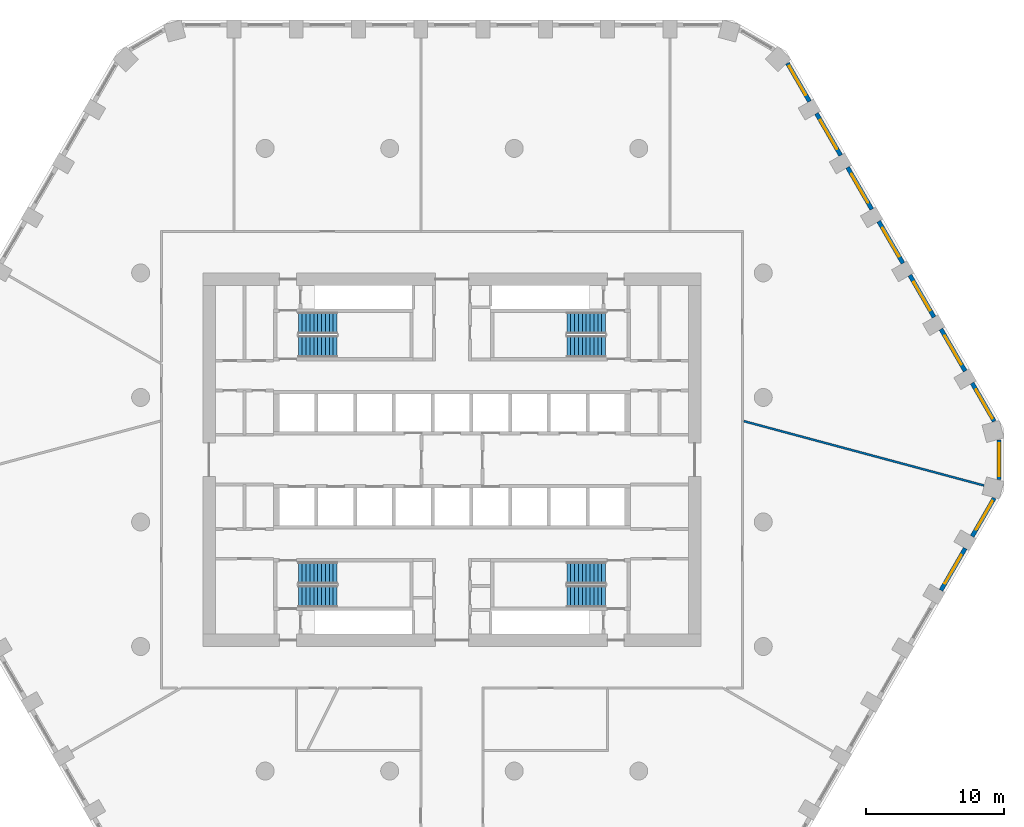
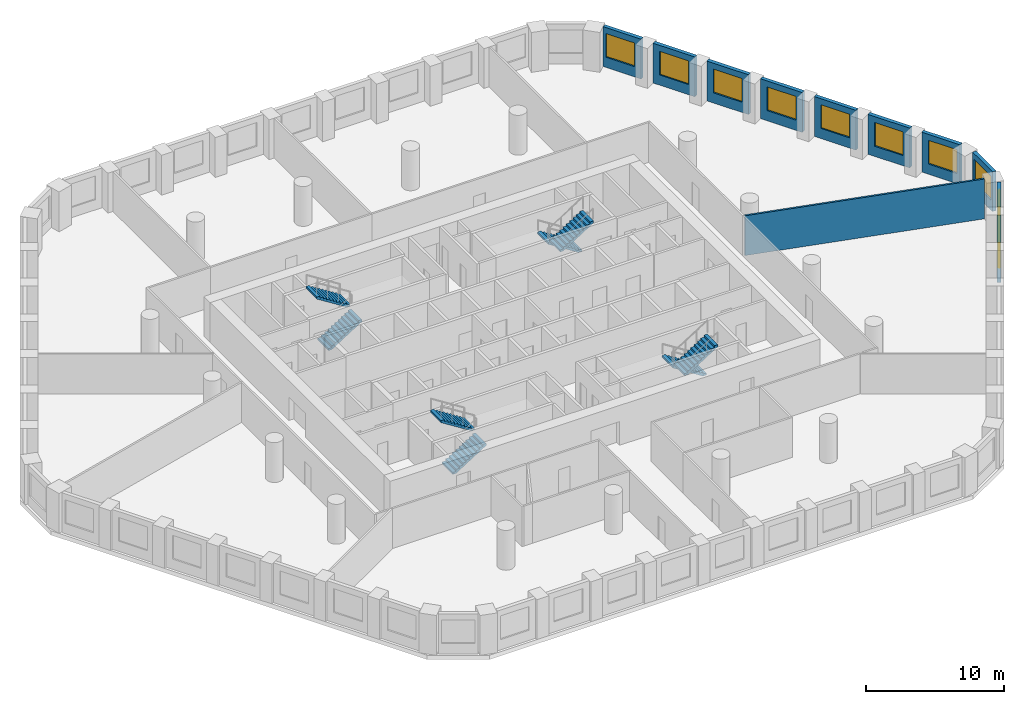
# One storey, part 8 of 9: 11 walls, 10 windows, 8 stair flights, 10 openings, 4 elements without a shape of their own.
"""IFC4 building model written with IfcOpenShell, lengths in metres."""

from ifc_helpers import new_model, si_unit, direction, frame, frame_2d, origin, place, context, subcontext, project, spatial, polyline, rectangle, outline, extrude, material, layer, layer_set, type_object, element, fill, aggregate, save


model = new_model("IFC4")

# Units and contexts
model_context = context("Model", 3, precision=1e-05, world=origin(), true_north=direction((0.0, 1.0)))
body_context = subcontext(model_context, "Body", "Model", "MODEL_VIEW")
ifc_project = project(units=[si_unit("LENGTHUNIT", "METRE"), si_unit("AREAUNIT", "SQUARE_METRE"), si_unit("VOLUMEUNIT", "CUBIC_METRE"), si_unit("PLANEANGLEUNIT", "RADIAN"), si_unit("MASSUNIT", "GRAM", prefix="KILO")], contexts=[model_context])

# Site, building, storey
site_placement = place(None, origin())
site = spatial("IfcSite", under=ifc_project, at=site_placement, CompositionType="ELEMENT")
building_placement = place(site_placement, origin())
building = spatial("IfcBuilding", under=site, at=building_placement, Name="Dhurran Vertical Campus", CompositionType="ELEMENT")
storey_placement = place(building_placement, frame((0.0, 0.0, 116.39990234375)))
storey = spatial("IfcBuildingStorey", under=building, at=storey_placement, Name="L28", CompositionType="ELEMENT", Elevation=116.39990234375)

# Wall, opening, window
ifc_material_1 = material(Name="Precast concrete C50/60", Category="concrete")
ifc_layer_1 = layer(ifc_material_1, 0.300048828125)
ifc_layer_set_1 = layer_set([ifc_layer_1], Name="Precast concrete C50/60")
wall_type_1 = type_object("IfcWallType", Name="Precast spandrel wall 300", PredefinedType="SOLIDWALL", material=ifc_layer_set_1)
wall_1_placement = place(storey_placement, frame((35.34423828125, -9.435791015625, 0.0), z_axis=(0.0, 0.0, 1.0), x_axis=(0.499996256241, 0.866027565234, 0.0)))
wall_1 = element("IfcWall", 1, at=wall_1_placement, inside=storey, type_object=wall_type_1, Name="EW1 L28.15", PredefinedType="SOLIDWALL", context=body_context, shape_type="SweptSolid", body=[
    extrude(rectangle(XDim=3.4990234375, YDim=0.300048828125, at=frame_2d((1.74951171875, 0.0))), origin(), (0.0, 0.0, 1.0), 3.525146484375),
])
opening_1_placement = place(wall_1_placement, frame((0.549560546875, 0.0, 0.89990234375)))
opening_1 = element("IfcOpeningElement", 2, at=opening_1_placement, cuts=wall_1, Name="Opening WT1", PredefinedType="OPENING", context=body_context, shape_type="SweptSolid", body=[
    extrude(rectangle(XDim=2.39990234375, YDim=2.10009765625, at=frame_2d((1.199951171875, 1.050048828125))), frame((0.0, 0.159912109375, 0.0), z_axis=(0.0, -1.0, 0.0), x_axis=(1.0, 0.0, 0.0)), (0.0, 0.0, 1.0), 0.320068359375),
])
ifc_material_2 = material(Name="Aluminium frame with solar-control glass", Category="aluminium")
window_type = type_object("IfcWindowType", Name="Punched window 2400 x 2100", PartitioningType="SINGLE_PANEL", PredefinedType="WINDOW", material=ifc_material_2)
window_1_placement = place(opening_1_placement, origin())
window_1 = element("IfcWindow", 3, at=window_1_placement, inside=storey, type_object=window_type, Name="WT1 L28.15", OverallHeight=2.10009765625, OverallWidth=2.39990234375, PartitioningType="SINGLE_PANEL", PredefinedType="WINDOW", context=body_context, shape_type="SweptSolid", body=[
    extrude(rectangle(XDim=2.39990234375, YDim=2.10009765625, at=frame_2d((1.199951171875, 1.050048828125))), frame((0.0, 0.030029296875, 0.0), z_axis=(0.0, -1.0, 0.0), x_axis=(1.0, 0.0, 0.0)), (0.0, 0.0, 1.0), 0.06005859375),
])
fill(opening_1, window_1)

wall_2_placement = place(storey_placement, frame((37.59423828125, -5.538818359375, 0.0), z_axis=(0.0, 0.0, 1.0), x_axis=(0.500004907028, 0.866022570692, 0.0)))
wall_2 = element("IfcWall", 4, at=wall_2_placement, inside=storey, type_object=wall_type_1, Name="EW1 L28.16", PredefinedType="SOLIDWALL", context=body_context, shape_type="SweptSolid", body=[
    extrude(rectangle(XDim=3.1923828125, YDim=0.300048828125, at=frame_2d((1.59619140625, 0.0))), origin(), (0.0, 0.0, 1.0), 3.525146484375),
])
opening_2_placement = place(wall_2_placement, frame((0.549560546875, 0.0, 0.89990234375)))
opening_2 = element("IfcOpeningElement", 5, at=opening_2_placement, cuts=wall_2, Name="Opening WT1", PredefinedType="OPENING", context=body_context, shape_type="SweptSolid", body=[
    extrude(rectangle(XDim=2.39990234375, YDim=2.10009765625, at=frame_2d((1.199951171875, 1.050048828125))), frame((0.0, 0.159912109375, 0.0), z_axis=(0.0, -1.0, 0.0), x_axis=(1.0, 0.0, 0.0)), (0.0, 0.0, 1.0), 0.320068359375),
])
window_2_placement = place(opening_2_placement, origin())
window_2 = element("IfcWindow", 6, at=window_2_placement, inside=storey, type_object=window_type, Name="WT1 L28.16", OverallHeight=2.10009765625, OverallWidth=2.39990234375, PartitioningType="SINGLE_PANEL", PredefinedType="WINDOW", context=body_context, shape_type="SweptSolid", body=[
    extrude(rectangle(XDim=2.39990234375, YDim=2.10009765625, at=frame_2d((1.199951171875, 1.050048828125))), frame((0.0, 0.030029296875, 0.0), z_axis=(0.0, -1.0, 0.0), x_axis=(1.0, 0.0, 0.0)), (0.0, 0.0, 1.0), 0.06005859375),
])
fill(opening_2, window_2)

wall_3_placement = place(storey_placement, frame((39.547119140625, -1.44287109375, 0.0), z_axis=(0.0, 0.0, 1.0), x_axis=(0.0, 1.0, 0.0)))
wall_3 = element("IfcWall", 7, at=wall_3_placement, inside=storey, type_object=wall_type_1, Name="EW1 L28.17", PredefinedType="SOLIDWALL", context=body_context, shape_type="SweptSolid", body=[
    extrude(rectangle(XDim=2.8857421875, YDim=0.300048828125, at=frame_2d((1.44287109375, 0.0))), origin(), (0.0, 0.0, 1.0), 3.525146484375),
])
opening_3_placement = place(wall_3_placement, frame((0.242919921875, 0.0, 0.89990234375)))
opening_3 = element("IfcOpeningElement", 8, at=opening_3_placement, cuts=wall_3, Name="Opening WT1", PredefinedType="OPENING", context=body_context, shape_type="SweptSolid", body=[
    extrude(rectangle(XDim=2.39990234375, YDim=2.10009765625, at=frame_2d((1.199951171875, 1.050048828125))), frame((0.0, 0.159912109375, 0.0), z_axis=(0.0, -1.0, 0.0), x_axis=(1.0, 0.0, 0.0)), (0.0, 0.0, 1.0), 0.320068359375),
])
window_3_placement = place(opening_3_placement, origin())
window_3 = element("IfcWindow", 9, at=window_3_placement, inside=storey, type_object=window_type, Name="WT1 L28.17", OverallHeight=2.10009765625, OverallWidth=2.39990234375, PartitioningType="SINGLE_PANEL", PredefinedType="WINDOW", context=body_context, shape_type="SweptSolid", body=[
    extrude(rectangle(XDim=2.39990234375, YDim=2.10009765625, at=frame_2d((1.199951171875, 1.050048828125))), frame((0.0, 0.030029296875, 0.0), z_axis=(0.0, -1.0, 0.0), x_axis=(1.0, 0.0, 0.0)), (0.0, 0.0, 1.0), 0.06005859375),
])
fill(opening_3, window_3)

wall_4_placement = place(storey_placement, frame((39.1904296875, 2.774169921875, 0.0), z_axis=(0.0, 0.0, 1.0), x_axis=(-0.500004907028, 0.866022570692, 0.0)))
wall_4 = element("IfcWall", 10, at=wall_4_placement, inside=storey, type_object=wall_type_1, Name="EW1 L28.18", PredefinedType="SOLIDWALL", context=body_context, shape_type="SweptSolid", body=[
    extrude(rectangle(XDim=3.1923828125, YDim=0.300048828125, at=frame_2d((1.59619140625, 0.0))), origin(), (0.0, 0.0, 1.0), 3.525146484375),
])
opening_4_placement = place(wall_4_placement, frame((0.242919921875, 0.0, 0.89990234375)))
opening_4 = element("IfcOpeningElement", 11, at=opening_4_placement, cuts=wall_4, Name="Opening WT1", PredefinedType="OPENING", context=body_context, shape_type="SweptSolid", body=[
    extrude(rectangle(XDim=2.39990234375, YDim=2.10009765625, at=frame_2d((1.199951171875, 1.050048828125))), frame((0.0, 0.159912109375, 0.0), z_axis=(0.0, -1.0, 0.0), x_axis=(1.0, 0.0, 0.0)), (0.0, 0.0, 1.0), 0.320068359375),
])
window_4_placement = place(opening_4_placement, origin())
window_4 = element("IfcWindow", 12, at=window_4_placement, inside=storey, type_object=window_type, Name="WT1 L28.18", OverallHeight=2.10009765625, OverallWidth=2.39990234375, PartitioningType="SINGLE_PANEL", PredefinedType="WINDOW", context=body_context, shape_type="SweptSolid", body=[
    extrude(rectangle(XDim=2.39990234375, YDim=2.10009765625, at=frame_2d((1.199951171875, 1.050048828125))), frame((0.0, 0.030029296875, 0.0), z_axis=(0.0, -1.0, 0.0), x_axis=(1.0, 0.0, 0.0)), (0.0, 0.0, 1.0), 0.06005859375),
])
fill(opening_4, window_4)

wall_5_placement = place(storey_placement, frame((37.09375, 6.405517578125, 0.0), z_axis=(0.0, 0.0, 1.0), x_axis=(-0.499996256241, 0.866027565234, 0.0)))
wall_5 = element("IfcWall", 13, at=wall_5_placement, inside=storey, type_object=wall_type_1, Name="EW1 L28.19", PredefinedType="SOLIDWALL", context=body_context, shape_type="SweptSolid", body=[
    extrude(rectangle(XDim=3.4990234375, YDim=0.300048828125, at=frame_2d((1.74951171875, 0.0))), origin(), (0.0, 0.0, 1.0), 3.525146484375),
])
opening_5_placement = place(wall_5_placement, frame((0.549560546875, 0.0, 0.89990234375)))
opening_5 = element("IfcOpeningElement", 14, at=opening_5_placement, cuts=wall_5, Name="Opening WT1", PredefinedType="OPENING", context=body_context, shape_type="SweptSolid", body=[
    extrude(rectangle(XDim=2.39990234375, YDim=2.10009765625, at=frame_2d((1.199951171875, 1.050048828125))), frame((0.0, 0.159912109375, 0.0), z_axis=(0.0, -1.0, 0.0), x_axis=(1.0, 0.0, 0.0)), (0.0, 0.0, 1.0), 0.320068359375),
])
window_5_placement = place(opening_5_placement, origin())
window_5 = element("IfcWindow", 15, at=window_5_placement, inside=storey, type_object=window_type, Name="WT1 L28.19", OverallHeight=2.10009765625, OverallWidth=2.39990234375, PartitioningType="SINGLE_PANEL", PredefinedType="WINDOW", context=body_context, shape_type="SweptSolid", body=[
    extrude(rectangle(XDim=2.39990234375, YDim=2.10009765625, at=frame_2d((1.199951171875, 1.050048828125))), frame((0.0, 0.030029296875, 0.0), z_axis=(0.0, -1.0, 0.0), x_axis=(1.0, 0.0, 0.0)), (0.0, 0.0, 1.0), 0.06005859375),
])
fill(opening_5, window_5)

wall_6_placement = place(storey_placement, frame((34.84375, 10.302734375, 0.0), z_axis=(0.0, 0.0, 1.0), x_axis=(-0.499996256241, 0.866027565234, 0.0)))
wall_6 = element("IfcWall", 16, at=wall_6_placement, inside=storey, type_object=wall_type_1, Name="EW1 L28.20", PredefinedType="SOLIDWALL", context=body_context, shape_type="SweptSolid", body=[
    extrude(rectangle(XDim=3.4990234375, YDim=0.300048828125, at=frame_2d((1.74951171875, 0.0))), origin(), (0.0, 0.0, 1.0), 3.525146484375),
])
opening_6_placement = place(wall_6_placement, frame((0.549560546875, 0.0, 0.89990234375)))
opening_6 = element("IfcOpeningElement", 17, at=opening_6_placement, cuts=wall_6, Name="Opening WT1", PredefinedType="OPENING", context=body_context, shape_type="SweptSolid", body=[
    extrude(rectangle(XDim=2.39990234375, YDim=2.10009765625, at=frame_2d((1.199951171875, 1.050048828125))), frame((0.0, 0.159912109375, 0.0), z_axis=(0.0, -1.0, 0.0), x_axis=(1.0, 0.0, 0.0)), (0.0, 0.0, 1.0), 0.320068359375),
])
window_6_placement = place(opening_6_placement, origin())
window_6 = element("IfcWindow", 18, at=window_6_placement, inside=storey, type_object=window_type, Name="WT1 L28.20", OverallHeight=2.10009765625, OverallWidth=2.39990234375, PartitioningType="SINGLE_PANEL", PredefinedType="WINDOW", context=body_context, shape_type="SweptSolid", body=[
    extrude(rectangle(XDim=2.39990234375, YDim=2.10009765625, at=frame_2d((1.199951171875, 1.050048828125))), frame((0.0, 0.030029296875, 0.0), z_axis=(0.0, -1.0, 0.0), x_axis=(1.0, 0.0, 0.0)), (0.0, 0.0, 1.0), 0.06005859375),
])
fill(opening_6, window_6)

wall_7_placement = place(storey_placement, frame((32.59375, 14.19970703125, 0.0), z_axis=(0.0, 0.0, 1.0), x_axis=(-0.499996256241, 0.866027565234, 0.0)))
wall_7 = element("IfcWall", 19, at=wall_7_placement, inside=storey, type_object=wall_type_1, Name="EW1 L28.21", PredefinedType="SOLIDWALL", context=body_context, shape_type="SweptSolid", body=[
    extrude(rectangle(XDim=3.4990234375, YDim=0.300048828125, at=frame_2d((1.74951171875, 0.0))), origin(), (0.0, 0.0, 1.0), 3.525146484375),
])
opening_7_placement = place(wall_7_placement, frame((0.549560546875, 0.0, 0.89990234375)))
opening_7 = element("IfcOpeningElement", 20, at=opening_7_placement, cuts=wall_7, Name="Opening WT1", PredefinedType="OPENING", context=body_context, shape_type="SweptSolid", body=[
    extrude(rectangle(XDim=2.39990234375, YDim=2.10009765625, at=frame_2d((1.199951171875, 1.050048828125))), frame((0.0, 0.159912109375, 0.0), z_axis=(0.0, -1.0, 0.0), x_axis=(1.0, 0.0, 0.0)), (0.0, 0.0, 1.0), 0.320068359375),
])
window_7_placement = place(opening_7_placement, origin())
window_7 = element("IfcWindow", 21, at=window_7_placement, inside=storey, type_object=window_type, Name="WT1 L28.21", OverallHeight=2.10009765625, OverallWidth=2.39990234375, PartitioningType="SINGLE_PANEL", PredefinedType="WINDOW", context=body_context, shape_type="SweptSolid", body=[
    extrude(rectangle(XDim=2.39990234375, YDim=2.10009765625, at=frame_2d((1.199951171875, 1.050048828125))), frame((0.0, 0.030029296875, 0.0), z_axis=(0.0, -1.0, 0.0), x_axis=(1.0, 0.0, 0.0)), (0.0, 0.0, 1.0), 0.06005859375),
])
fill(opening_7, window_7)

wall_8_placement = place(storey_placement, frame((30.34375, 18.096923828125, 0.0), z_axis=(0.0, 0.0, 1.0), x_axis=(-0.499996256241, 0.866027565234, 0.0)))
wall_8 = element("IfcWall", 22, at=wall_8_placement, inside=storey, type_object=wall_type_1, Name="EW1 L28.22", PredefinedType="SOLIDWALL", context=body_context, shape_type="SweptSolid", body=[
    extrude(rectangle(XDim=3.4990234375, YDim=0.300048828125, at=frame_2d((1.74951171875, 0.0))), origin(), (0.0, 0.0, 1.0), 3.525146484375),
])
opening_8_placement = place(wall_8_placement, frame((0.549560546875, 0.0, 0.89990234375)))
opening_8 = element("IfcOpeningElement", 23, at=opening_8_placement, cuts=wall_8, Name="Opening WT1", PredefinedType="OPENING", context=body_context, shape_type="SweptSolid", body=[
    extrude(rectangle(XDim=2.39990234375, YDim=2.10009765625, at=frame_2d((1.199951171875, 1.050048828125))), frame((0.0, 0.159912109375, 0.0), z_axis=(0.0, -1.0, 0.0), x_axis=(1.0, 0.0, 0.0)), (0.0, 0.0, 1.0), 0.320068359375),
])
window_8_placement = place(opening_8_placement, origin())
window_8 = element("IfcWindow", 24, at=window_8_placement, inside=storey, type_object=window_type, Name="WT1 L28.22", OverallHeight=2.10009765625, OverallWidth=2.39990234375, PartitioningType="SINGLE_PANEL", PredefinedType="WINDOW", context=body_context, shape_type="SweptSolid", body=[
    extrude(rectangle(XDim=2.39990234375, YDim=2.10009765625, at=frame_2d((1.199951171875, 1.050048828125))), frame((0.0, 0.030029296875, 0.0), z_axis=(0.0, -1.0, 0.0), x_axis=(1.0, 0.0, 0.0)), (0.0, 0.0, 1.0), 0.06005859375),
])
fill(opening_8, window_8)

wall_9_placement = place(storey_placement, frame((28.09375, 21.993896484375, 0.0), z_axis=(0.0, 0.0, 1.0), x_axis=(-0.499996256241, 0.866027565234, 0.0)))
wall_9 = element("IfcWall", 25, at=wall_9_placement, inside=storey, type_object=wall_type_1, Name="EW1 L28.23", PredefinedType="SOLIDWALL", context=body_context, shape_type="SweptSolid", body=[
    extrude(rectangle(XDim=3.4990234375, YDim=0.300048828125, at=frame_2d((1.74951171875, 0.0))), origin(), (0.0, 0.0, 1.0), 3.525146484375),
])
opening_9_placement = place(wall_9_placement, frame((0.549560546875, 0.0, 0.89990234375)))
opening_9 = element("IfcOpeningElement", 26, at=opening_9_placement, cuts=wall_9, Name="Opening WT1", PredefinedType="OPENING", context=body_context, shape_type="SweptSolid", body=[
    extrude(rectangle(XDim=2.39990234375, YDim=2.10009765625, at=frame_2d((1.199951171875, 1.050048828125))), frame((0.0, 0.159912109375, 0.0), z_axis=(0.0, -1.0, 0.0), x_axis=(1.0, 0.0, 0.0)), (0.0, 0.0, 1.0), 0.320068359375),
])
window_9_placement = place(opening_9_placement, origin())
window_9 = element("IfcWindow", 27, at=window_9_placement, inside=storey, type_object=window_type, Name="WT1 L28.23", OverallHeight=2.10009765625, OverallWidth=2.39990234375, PartitioningType="SINGLE_PANEL", PredefinedType="WINDOW", context=body_context, shape_type="SweptSolid", body=[
    extrude(rectangle(XDim=2.39990234375, YDim=2.10009765625, at=frame_2d((1.199951171875, 1.050048828125))), frame((0.0, 0.030029296875, 0.0), z_axis=(0.0, -1.0, 0.0), x_axis=(1.0, 0.0, 0.0)), (0.0, 0.0, 1.0), 0.06005859375),
])
fill(opening_9, window_9)

wall_10_placement = place(storey_placement, frame((25.84375, 25.89111328125, 0.0), z_axis=(0.0, 0.0, 1.0), x_axis=(-0.500004907028, 0.866022570692, 0.0)))
wall_10 = element("IfcWall", 28, at=wall_10_placement, inside=storey, type_object=wall_type_1, Name="EW1 L28.24", PredefinedType="SOLIDWALL", context=body_context, shape_type="SweptSolid", body=[
    extrude(rectangle(XDim=3.1923828125, YDim=0.300048828125, at=frame_2d((1.59619140625, 0.0))), origin(), (0.0, 0.0, 1.0), 3.525146484375),
])
opening_10_placement = place(wall_10_placement, frame((0.549560546875, 0.0, 0.89990234375)))
opening_10 = element("IfcOpeningElement", 29, at=opening_10_placement, cuts=wall_10, Name="Opening WT1", PredefinedType="OPENING", context=body_context, shape_type="SweptSolid", body=[
    extrude(rectangle(XDim=2.39990234375, YDim=2.10009765625, at=frame_2d((1.199951171875, 1.050048828125))), frame((0.0, 0.159912109375, 0.0), z_axis=(0.0, -1.0, 0.0), x_axis=(1.0, 0.0, 0.0)), (0.0, 0.0, 1.0), 0.320068359375),
])
window_10_placement = place(opening_10_placement, origin())
window_10 = element("IfcWindow", 30, at=window_10_placement, inside=storey, type_object=window_type, Name="WT1 L28.24", OverallHeight=2.10009765625, OverallWidth=2.39990234375, PartitioningType="SINGLE_PANEL", PredefinedType="WINDOW", context=body_context, shape_type="SweptSolid", body=[
    extrude(rectangle(XDim=2.39990234375, YDim=2.10009765625, at=frame_2d((1.199951171875, 1.050048828125))), frame((0.0, 0.030029296875, 0.0), z_axis=(0.0, -1.0, 0.0), x_axis=(1.0, 0.0, 0.0)), (0.0, 0.0, 1.0), 0.06005859375),
])
fill(opening_10, window_10)

# Wall
ifc_material_3 = material(Name="Gypsum board partition on steel studs", Category="steel")
ifc_layer_2 = layer(ifc_material_3, 0.14990234375)
ifc_layer_set_2 = layer_set([ifc_layer_2], Name="Gypsum board partition on steel studs")
wall_type_2 = type_object("IfcWallType", Name="fl-PW-150 fixed partition", PredefinedType="PARTITIONING", material=ifc_layer_set_2)
wall_11_placement = place(storey_placement, frame((38.45361328125, -1.86376953125, 0.0), z_axis=(0.0, 0.0, 1.0), x_axis=(-0.965925618712, 0.25881981979, 0.0)))
element("IfcWall", 31, at=wall_11_placement, inside=storey, type_object=wall_type_2, Name="Partition 28-34", PredefinedType="PARTITIONING", context=body_context, shape_type="SweptSolid", body=[
    extrude(rectangle(XDim=17.974365234375, YDim=0.14990234375, at=frame_2d((8.9873046875, 0.0))), origin(), (0.0, 0.0, 1.0), 3.525146484375),
])

# Stair, stair flights
ifc_material_4 = material(Name="Concrete C40/50", Category="concrete")
stair_type = type_object("IfcStairType", Name="co-ST-CORE", PredefinedType="HALF_TURN_STAIR", material=ifc_material_4)
stair_1_placement = place(storey_placement, origin())
stair_1 = element("IfcStair", 32, at=stair_1_placement, inside=storey, type_object=stair_type, Name="L28 Protected exit stair ST1", PredefinedType="HALF_TURN_STAIR")
ifc_material_5 = material(Name="Concrete C40/50", Category="concrete")
stair_flight_type = type_object("IfcStairFlightType", Name="co-SFL-RC", PredefinedType="STRAIGHT", material=ifc_material_5)
stair_flight_1_placement = place(storey_placement, frame((-11.10009765625, 8.175048828125, 0.0), z_axis=(0.0, 0.0, 1.0), x_axis=(1.0, 0.0, 0.0)))
stair_flight_1 = element("IfcStairFlight", 33, at=stair_flight_1_placement, type_object=stair_flight_type, Name="ST1 flight 1", NumberOfRisers=11, NumberOfTreads=10, PredefinedType="STRAIGHT", RiserHeight=0.177272727, TreadLength=0.28, context=body_context, shape_type="SweptSolid", body=[
    extrude(outline(polyline([(0.0, 0.0), (0.0, 0.17724609375), (0.280029296875, 0.17724609375), (0.280029296875, 0.3544921875), (0.56005859375, 0.3544921875), (0.56005859375, 0.53173828125), (0.840087890625, 0.53173828125), (0.840087890625, 0.708984375), (1.1201171875, 0.708984375), (1.1201171875, 0.886474609375), (1.39990234375, 0.886474609375), (1.39990234375, 1.063720703125), (1.679931640625, 1.063720703125), (1.679931640625, 1.240966796875), (1.9599609375, 1.240966796875), (1.9599609375, 1.418212890625), (2.239990234375, 1.418212890625), (2.239990234375, 1.595458984375), (2.52001953125, 1.595458984375), (2.52001953125, 1.772705078125), (2.800048828125, 1.772705078125), (2.800048828125, 1.949951171875), (2.800048828125, 1.59521484375), (0.2802734375, 0.0), (0.0, 0.0)])), frame((0.0, 0.77490234375, 0.0), z_axis=(0.0, -1.0, 0.0), x_axis=(1.0, 0.0, 0.0)), (0.0, 0.0, 1.0), 1.550048828125),
])
stair_flight_2_placement = place(storey_placement, frame((-8.300048828125, 9.875, 1.9501953125), z_axis=(0.0, 0.0, 1.0), x_axis=(-1.0, 0.0, 0.0)))
stair_flight_2 = element("IfcStairFlight", 34, at=stair_flight_2_placement, type_object=stair_flight_type, Name="ST1 flight 2", NumberOfRisers=11, NumberOfTreads=10, PredefinedType="STRAIGHT", RiserHeight=0.177272727, TreadLength=0.28, context=body_context, shape_type="SweptSolid", body=[
    extrude(outline(polyline([(0.0, 0.0), (0.0, 0.17724609375), (0.280029296875, 0.17724609375), (0.280029296875, 0.3544921875), (0.56005859375, 0.3544921875), (0.56005859375, 0.53173828125), (0.840087890625, 0.53173828125), (0.840087890625, 0.708984375), (1.1201171875, 0.708984375), (1.1201171875, 0.886474609375), (1.39990234375, 0.886474609375), (1.39990234375, 1.063720703125), (1.679931640625, 1.063720703125), (1.679931640625, 1.240966796875), (1.9599609375, 1.240966796875), (1.9599609375, 1.418212890625), (2.239990234375, 1.418212890625), (2.239990234375, 1.595458984375), (2.52001953125, 1.595458984375), (2.52001953125, 1.772705078125), (2.800048828125, 1.772705078125), (2.800048828125, 1.949951171875), (2.800048828125, 1.59521484375), (0.2802734375, 0.0), (0.0, 0.0)])), frame((0.0, 0.77490234375, 0.0), z_axis=(0.0, -1.0, 0.0), x_axis=(1.0, 0.0, 0.0)), (0.0, 0.0, 1.0), 1.550048828125),
])
aggregate(stair_1, [stair_flight_1, stair_flight_2])

stair_2_placement = place(storey_placement, origin())
stair_2 = element("IfcStair", 35, at=stair_2_placement, inside=storey, type_object=stair_type, Name="L28 Protected exit stair ST2", PredefinedType="HALF_TURN_STAIR")
stair_flight_3_placement = place(storey_placement, frame((11.10009765625, 9.875, 0.0), z_axis=(0.0, 0.0, 1.0), x_axis=(-1.0, 0.0, 0.0)))
stair_flight_3 = element("IfcStairFlight", 36, at=stair_flight_3_placement, type_object=stair_flight_type, Name="ST2 flight 1", NumberOfRisers=11, NumberOfTreads=10, PredefinedType="STRAIGHT", RiserHeight=0.177272727, TreadLength=0.28, context=body_context, shape_type="SweptSolid", body=[
    extrude(outline(polyline([(0.0, 0.0), (0.0, 0.17724609375), (0.280029296875, 0.17724609375), (0.280029296875, 0.3544921875), (0.56005859375, 0.3544921875), (0.56005859375, 0.53173828125), (0.840087890625, 0.53173828125), (0.840087890625, 0.708984375), (1.1201171875, 0.708984375), (1.1201171875, 0.886474609375), (1.39990234375, 0.886474609375), (1.39990234375, 1.063720703125), (1.679931640625, 1.063720703125), (1.679931640625, 1.240966796875), (1.9599609375, 1.240966796875), (1.9599609375, 1.418212890625), (2.239990234375, 1.418212890625), (2.239990234375, 1.595458984375), (2.52001953125, 1.595458984375), (2.52001953125, 1.772705078125), (2.800048828125, 1.772705078125), (2.800048828125, 1.949951171875), (2.800048828125, 1.59521484375), (0.2802734375, 0.0), (0.0, 0.0)])), frame((0.0, 0.77490234375, 0.0), z_axis=(0.0, -1.0, 0.0), x_axis=(1.0, 0.0, 0.0)), (0.0, 0.0, 1.0), 1.550048828125),
])
stair_flight_4_placement = place(storey_placement, frame((8.300048828125, 8.175048828125, 1.9501953125), z_axis=(0.0, 0.0, 1.0), x_axis=(1.0, 0.0, 0.0)))
stair_flight_4 = element("IfcStairFlight", 37, at=stair_flight_4_placement, type_object=stair_flight_type, Name="ST2 flight 2", NumberOfRisers=11, NumberOfTreads=10, PredefinedType="STRAIGHT", RiserHeight=0.177272727, TreadLength=0.28, context=body_context, shape_type="SweptSolid", body=[
    extrude(outline(polyline([(0.0, 0.0), (0.0, 0.17724609375), (0.280029296875, 0.17724609375), (0.280029296875, 0.3544921875), (0.56005859375, 0.3544921875), (0.56005859375, 0.53173828125), (0.840087890625, 0.53173828125), (0.840087890625, 0.708984375), (1.1201171875, 0.708984375), (1.1201171875, 0.886474609375), (1.39990234375, 0.886474609375), (1.39990234375, 1.063720703125), (1.679931640625, 1.063720703125), (1.679931640625, 1.240966796875), (1.9599609375, 1.240966796875), (1.9599609375, 1.418212890625), (2.239990234375, 1.418212890625), (2.239990234375, 1.595458984375), (2.52001953125, 1.595458984375), (2.52001953125, 1.772705078125), (2.800048828125, 1.772705078125), (2.800048828125, 1.949951171875), (2.800048828125, 1.59521484375), (0.2802734375, 0.0), (0.0, 0.0)])), frame((0.0, 0.77490234375, 0.0), z_axis=(0.0, -1.0, 0.0), x_axis=(1.0, 0.0, 0.0)), (0.0, 0.0, 1.0), 1.550048828125),
])
aggregate(stair_2, [stair_flight_3, stair_flight_4])

stair_3_placement = place(storey_placement, origin())
stair_3 = element("IfcStair", 38, at=stair_3_placement, inside=storey, type_object=stair_type, Name="L28 Protected exit stair ST3", PredefinedType="HALF_TURN_STAIR")
stair_flight_5_placement = place(storey_placement, frame((-11.10009765625, -9.875, 0.0), z_axis=(0.0, 0.0, 1.0), x_axis=(1.0, 0.0, 0.0)))
stair_flight_5 = element("IfcStairFlight", 39, at=stair_flight_5_placement, type_object=stair_flight_type, Name="ST3 flight 1", NumberOfRisers=11, NumberOfTreads=10, PredefinedType="STRAIGHT", RiserHeight=0.177272727, TreadLength=0.28, context=body_context, shape_type="SweptSolid", body=[
    extrude(outline(polyline([(0.0, 0.0), (0.0, 0.17724609375), (0.280029296875, 0.17724609375), (0.280029296875, 0.3544921875), (0.56005859375, 0.3544921875), (0.56005859375, 0.53173828125), (0.840087890625, 0.53173828125), (0.840087890625, 0.708984375), (1.1201171875, 0.708984375), (1.1201171875, 0.886474609375), (1.39990234375, 0.886474609375), (1.39990234375, 1.063720703125), (1.679931640625, 1.063720703125), (1.679931640625, 1.240966796875), (1.9599609375, 1.240966796875), (1.9599609375, 1.418212890625), (2.239990234375, 1.418212890625), (2.239990234375, 1.595458984375), (2.52001953125, 1.595458984375), (2.52001953125, 1.772705078125), (2.800048828125, 1.772705078125), (2.800048828125, 1.949951171875), (2.800048828125, 1.59521484375), (0.2802734375, 0.0), (0.0, 0.0)])), frame((0.0, 0.77490234375, 0.0), z_axis=(0.0, -1.0, 0.0), x_axis=(1.0, 0.0, 0.0)), (0.0, 0.0, 1.0), 1.550048828125),
])
stair_flight_6_placement = place(storey_placement, frame((-8.300048828125, -8.175048828125, 1.9501953125), z_axis=(0.0, 0.0, 1.0), x_axis=(-1.0, 0.0, 0.0)))
stair_flight_6 = element("IfcStairFlight", 40, at=stair_flight_6_placement, type_object=stair_flight_type, Name="ST3 flight 2", NumberOfRisers=11, NumberOfTreads=10, PredefinedType="STRAIGHT", RiserHeight=0.177272727, TreadLength=0.28, context=body_context, shape_type="SweptSolid", body=[
    extrude(outline(polyline([(0.0, 0.0), (0.0, 0.17724609375), (0.280029296875, 0.17724609375), (0.280029296875, 0.3544921875), (0.56005859375, 0.3544921875), (0.56005859375, 0.53173828125), (0.840087890625, 0.53173828125), (0.840087890625, 0.708984375), (1.1201171875, 0.708984375), (1.1201171875, 0.886474609375), (1.39990234375, 0.886474609375), (1.39990234375, 1.063720703125), (1.679931640625, 1.063720703125), (1.679931640625, 1.240966796875), (1.9599609375, 1.240966796875), (1.9599609375, 1.418212890625), (2.239990234375, 1.418212890625), (2.239990234375, 1.595458984375), (2.52001953125, 1.595458984375), (2.52001953125, 1.772705078125), (2.800048828125, 1.772705078125), (2.800048828125, 1.949951171875), (2.800048828125, 1.59521484375), (0.2802734375, 0.0), (0.0, 0.0)])), frame((0.0, 0.77490234375, 0.0), z_axis=(0.0, -1.0, 0.0), x_axis=(1.0, 0.0, 0.0)), (0.0, 0.0, 1.0), 1.550048828125),
])
aggregate(stair_3, [stair_flight_5, stair_flight_6])

stair_4_placement = place(storey_placement, origin())
stair_4 = element("IfcStair", 41, at=stair_4_placement, inside=storey, type_object=stair_type, Name="L28 Protected exit stair ST4", PredefinedType="HALF_TURN_STAIR")
stair_flight_7_placement = place(storey_placement, frame((11.10009765625, -8.175048828125, 0.0), z_axis=(0.0, 0.0, 1.0), x_axis=(-1.0, 0.0, 0.0)))
stair_flight_7 = element("IfcStairFlight", 42, at=stair_flight_7_placement, type_object=stair_flight_type, Name="ST4 flight 1", NumberOfRisers=11, NumberOfTreads=10, PredefinedType="STRAIGHT", RiserHeight=0.177272727, TreadLength=0.28, context=body_context, shape_type="SweptSolid", body=[
    extrude(outline(polyline([(0.0, 0.0), (0.0, 0.17724609375), (0.280029296875, 0.17724609375), (0.280029296875, 0.3544921875), (0.56005859375, 0.3544921875), (0.56005859375, 0.53173828125), (0.840087890625, 0.53173828125), (0.840087890625, 0.708984375), (1.1201171875, 0.708984375), (1.1201171875, 0.886474609375), (1.39990234375, 0.886474609375), (1.39990234375, 1.063720703125), (1.679931640625, 1.063720703125), (1.679931640625, 1.240966796875), (1.9599609375, 1.240966796875), (1.9599609375, 1.418212890625), (2.239990234375, 1.418212890625), (2.239990234375, 1.595458984375), (2.52001953125, 1.595458984375), (2.52001953125, 1.772705078125), (2.800048828125, 1.772705078125), (2.800048828125, 1.949951171875), (2.800048828125, 1.59521484375), (0.2802734375, 0.0), (0.0, 0.0)])), frame((0.0, 0.77490234375, 0.0), z_axis=(0.0, -1.0, 0.0), x_axis=(1.0, 0.0, 0.0)), (0.0, 0.0, 1.0), 1.550048828125),
])
stair_flight_8_placement = place(storey_placement, frame((8.300048828125, -9.875, 1.9501953125), z_axis=(0.0, 0.0, 1.0), x_axis=(1.0, 0.0, 0.0)))
stair_flight_8 = element("IfcStairFlight", 43, at=stair_flight_8_placement, type_object=stair_flight_type, Name="ST4 flight 2", NumberOfRisers=11, NumberOfTreads=10, PredefinedType="STRAIGHT", RiserHeight=0.177272727, TreadLength=0.28, context=body_context, shape_type="SweptSolid", body=[
    extrude(outline(polyline([(0.0, 0.0), (0.0, 0.17724609375), (0.280029296875, 0.17724609375), (0.280029296875, 0.3544921875), (0.56005859375, 0.3544921875), (0.56005859375, 0.53173828125), (0.840087890625, 0.53173828125), (0.840087890625, 0.708984375), (1.1201171875, 0.708984375), (1.1201171875, 0.886474609375), (1.39990234375, 0.886474609375), (1.39990234375, 1.063720703125), (1.679931640625, 1.063720703125), (1.679931640625, 1.240966796875), (1.9599609375, 1.240966796875), (1.9599609375, 1.418212890625), (2.239990234375, 1.418212890625), (2.239990234375, 1.595458984375), (2.52001953125, 1.595458984375), (2.52001953125, 1.772705078125), (2.800048828125, 1.772705078125), (2.800048828125, 1.949951171875), (2.800048828125, 1.59521484375), (0.2802734375, 0.0), (0.0, 0.0)])), frame((0.0, 0.77490234375, 0.0), z_axis=(0.0, -1.0, 0.0), x_axis=(1.0, 0.0, 0.0)), (0.0, 0.0, 1.0), 1.550048828125),
])
aggregate(stair_4, [stair_flight_7, stair_flight_8])

save(model, "model.ifc")
